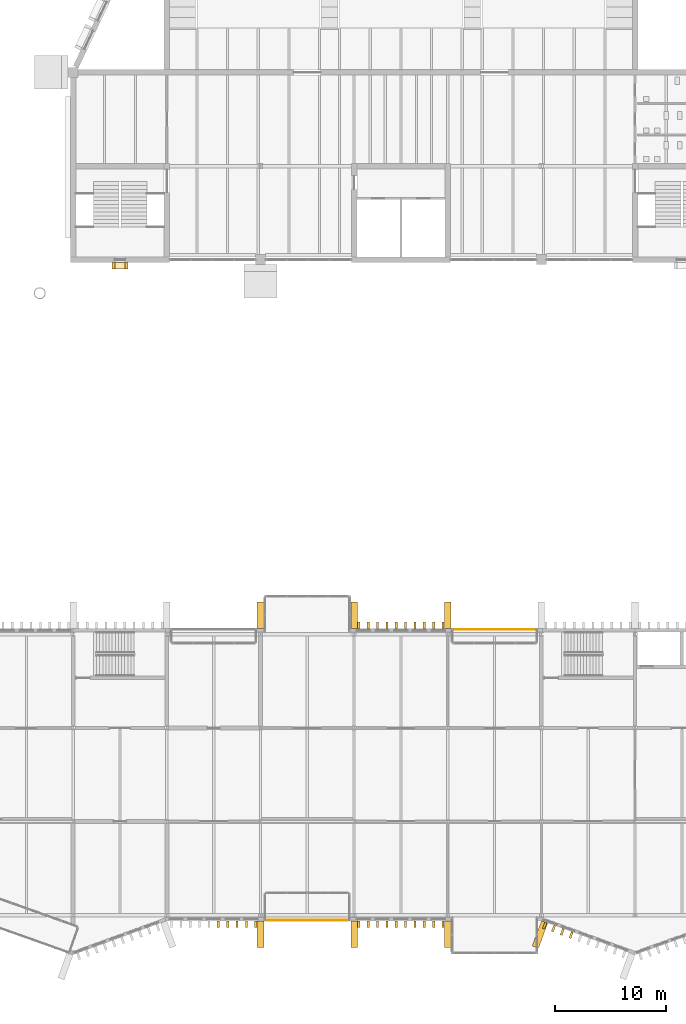
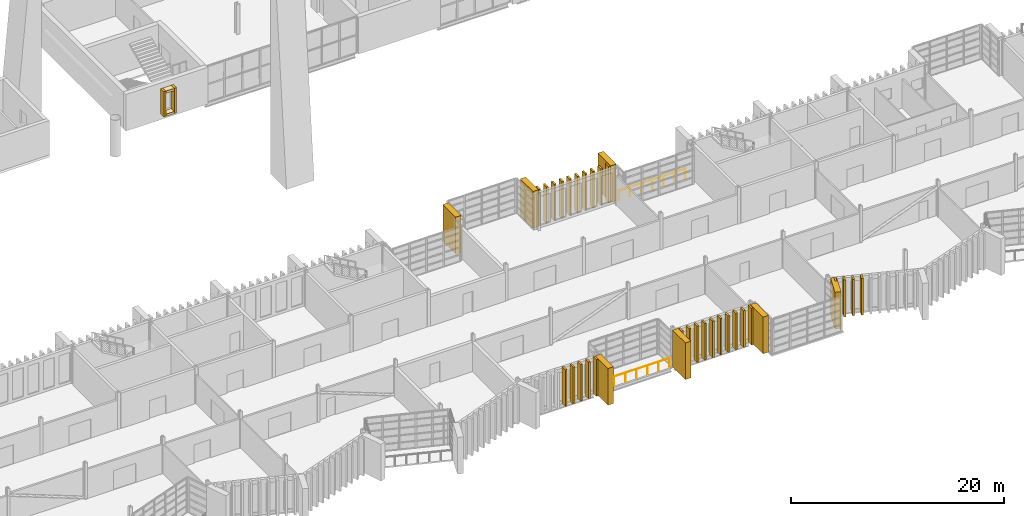
# One storey, part 91 of 100: 40 coverings, 2 railings.
"""IFC4 building model written with IfcOpenShell, lengths in metres."""

from ifc_helpers import new_model, si_unit, direction, frame, origin, origin_2d, place, context, subcontext, project, spatial, rectangle, circle, extrude, material, type_object, element, save


model = new_model("IFC4")

# Units and contexts
model_context = context("Model", 3, precision=1e-05, world=origin(), true_north=direction((0.0, 1.0)))
body_context = subcontext(model_context, "Body", "Model", "MODEL_VIEW")
ifc_project = project(units=[si_unit("LENGTHUNIT", "METRE"), si_unit("AREAUNIT", "SQUARE_METRE"), si_unit("VOLUMEUNIT", "CUBIC_METRE"), si_unit("PLANEANGLEUNIT", "RADIAN"), si_unit("MASSUNIT", "GRAM", prefix="KILO")], contexts=[model_context])

# Site, building, storey
site_placement = place(None, origin())
site = spatial("IfcSite", under=ifc_project, at=site_placement, CompositionType="ELEMENT")
building_placement = place(site_placement, origin())
building = spatial("IfcBuilding", under=site, at=building_placement, Name="Cresset Court Congress Hotel", CompositionType="ELEMENT")
storey_placement = place(building_placement, frame((0.0, 0.0, 10.199951171875)))
storey = spatial("IfcBuildingStorey", under=building, at=storey_placement, Name="L02", CompositionType="ELEMENT", Elevation=10.199951171875)

# Railings
ifc_material_1 = material(Name="Steel and laminated glass", Category="steel")
railing_type = type_object("IfcRailingType", Name="Guard 1100 steel and glass external", PredefinedType="GUARDRAIL", material=ifc_material_1)
for number, where, name in (
    (1, (76.199951171875, -0.449951171875, 0.0), "Guard to recess S0210"),
    (2, (93.0, 25.64990234375, 0.0), "Guard to recess N0230"),
):
    element("IfcRailing", number, at=place(storey_placement, frame(where)), inside=storey, type_object=railing_type, Name=name, PredefinedType="GUARDRAIL", context=body_context, shape_type="SweptSolid", body=[
        extrude(circle(Radius=0.02392578125, at=origin_2d()), frame((0.0, 0.0, 1.076171875), z_axis=(1.0, 0.0, 0.0), x_axis=(0.0, 1.0, 0.0)), (0.0, 0.0, 1.0), 7.199951171875),
        extrude(circle(Radius=0.02099609375, at=origin_2d()), origin(), (0.0, 0.0, 1.0), 1.052001953125),
        extrude(circle(Radius=0.02099609375, at=origin_2d()), frame((1.199951171875, 0.0, 0.0)), (0.0, 0.0, 1.0), 1.052001953125),
        extrude(circle(Radius=0.02099609375, at=origin_2d()), frame((2.39990234375, 0.0, 0.0)), (0.0, 0.0, 1.0), 1.052001953125),
        extrude(circle(Radius=0.02099609375, at=origin_2d()), frame((3.60009765625, 0.0, 0.0)), (0.0, 0.0, 1.0), 1.052001953125),
        extrude(circle(Radius=0.02099609375, at=origin_2d()), frame((4.800048828125, 0.0, 0.0)), (0.0, 0.0, 1.0), 1.052001953125),
        extrude(circle(Radius=0.02099609375, at=origin_2d()), frame((6.0, 0.0, 0.0)), (0.0, 0.0, 1.0), 1.052001953125),
        extrude(circle(Radius=0.02099609375, at=origin_2d()), frame((7.199951171875, 0.0, 0.0)), (0.0, 0.0, 1.0), 1.052001953125),
    ])

# Coverings
ifc_material_2 = material(Name="Precast concrete C50", Category="concrete")
covering_type_1 = type_object("IfcCoveringType", Name="Precast reveal frame member 250x600", PredefinedType="CLADDING", material=ifc_material_2)
for number, where, z_axis, x_axis, name in (
    (3, (63.574951171875, 58.25, 0.650146484375), (0.0, 0.0, 1.0), (1.0, 0.0, 0.0), "Reveal frame NC-02-C1a"),
    (4, (62.425048828125, 58.25, 0.650146484375), (0.0, 0.0, 1.0), (1.0, 0.0, 0.0), "Reveal frame NC-02-C1b"),
):
    element("IfcCovering", number, at=place(storey_placement, frame(where, z_axis=z_axis, x_axis=x_axis)), inside=storey, type_object=covering_type_1, Name=name, PredefinedType="CLADDING", context=body_context, shape_type="SweptSolid", body=[
        extrude(rectangle(XDim=0.25, YDim=0.60009765625, at=origin_2d()), origin(), (0.0, 0.0, 1.0), 2.89990234375),
    ])
for number, where, z_axis, x_axis, name in (
    (5, (63.0, 58.25, 3.300048828125), (0.0, 0.0, 1.0), (1.0, 0.0, 0.0), "Reveal frame NC-02-C1c"),
    (6, (63.0, 58.25, 0.650146484375), (0.0, 0.0, 1.0), (1.0, 0.0, 0.0), "Reveal frame NC-02-C1d"),
):
    element("IfcCovering", number, at=place(storey_placement, frame(where, z_axis=z_axis, x_axis=x_axis)), inside=storey, type_object=covering_type_1, Name=name, PredefinedType="CLADDING", context=body_context, shape_type="SweptSolid", body=[
        extrude(rectangle(XDim=0.89990234375, YDim=0.60009765625, at=origin_2d()), origin(), (0.0, 0.0, 1.0), 0.25),
    ])
ifc_material_3 = material(Name="Precast concrete C50", Category="concrete")
covering_type_2 = type_object("IfcCoveringType", Name="Precast stone fin 200x600 variant 1", PredefinedType="CLADDING", material=ifc_material_3)
for number, where, z_axis, x_axis, name in (
    (7, (101.09228515625, -0.92529296875, 0.0), (0.0, 0.0, 1.0), (0.939956783309, -0.341293488819, 0.0), "Fin S02-110"),
    (8, (101.8818359375, -1.2119140625, 0.0), (0.0, 0.0, 1.0), (0.939956783309, -0.341293488819, 0.0), "Fin S02-111"),
    (9, (102.671630859375, -1.498779296875, 0.0), (0.0, 0.0, 1.0), (0.939956783309, -0.341293488819, 0.0), "Fin S02-112"),
    (10, (103.461181640625, -1.785400390625, 0.0), (0.0, 0.0, 1.0), (0.939956783309, -0.341293488819, 0.0), "Fin S02-113"),
    (11, (71.820068359375, -0.800048828125, 0.0), (0.0, 0.0, 1.0), (1.0, 0.0, 0.0), "Fin S02-075"),
    (12, (72.659912109375, -0.800048828125, 0.0), (0.0, 0.0, 1.0), (1.0, 0.0, 0.0), "Fin S02-076"),
    (13, (73.5, -0.800048828125, 0.0), (0.0, 0.0, 1.0), (1.0, 0.0, 0.0), "Fin S02-077"),
    (14, (74.340087890625, -0.800048828125, 0.0), (0.0, 0.0, 1.0), (1.0, 0.0, 0.0), "Fin S02-078"),
    (15, (75.179931640625, -0.800048828125, 0.0), (0.0, 0.0, 1.0), (1.0, 0.0, 0.0), "Fin S02-079"),
    (16, (84.419921875, -0.800048828125, 0.0), (0.0, 0.0, 1.0), (1.0, 0.0, 0.0), "Fin S02-090"),
    (17, (85.260009765625, -0.800048828125, 0.0), (0.0, 0.0, 1.0), (1.0, 0.0, 0.0), "Fin S02-091"),
    (18, (86.10009765625, -0.800048828125, 0.0), (0.0, 0.0, 1.0), (1.0, 0.0, 0.0), "Fin S02-092"),
    (19, (86.93994140625, -0.800048828125, 0.0), (0.0, 0.0, 1.0), (1.0, 0.0, 0.0), "Fin S02-093"),
    (20, (87.780029296875, -0.800048828125, 0.0), (0.0, 0.0, 1.0), (1.0, 0.0, 0.0), "Fin S02-094"),
    (21, (88.6201171875, -0.800048828125, 0.0), (0.0, 0.0, 1.0), (1.0, 0.0, 0.0), "Fin S02-095"),
    (22, (89.4599609375, -0.800048828125, 0.0), (0.0, 0.0, 1.0), (1.0, 0.0, 0.0), "Fin S02-096"),
    (23, (90.300048828125, -0.800048828125, 0.0), (0.0, 0.0, 1.0), (1.0, 0.0, 0.0), "Fin S02-097"),
    (24, (91.139892578125, -0.800048828125, 0.0), (0.0, 0.0, 1.0), (1.0, 0.0, 0.0), "Fin S02-098"),
    (25, (91.97998046875, -0.800048828125, 0.0), (0.0, 0.0, 1.0), (1.0, 0.0, 0.0), "Fin S02-099"),
    (26, (84.419921875, 26.0, 0.0), (0.0, 0.0, 1.0), (1.0, 0.0, 0.0), "Fin N02-090"),
    (27, (85.260009765625, 26.0, 0.0), (0.0, 0.0, 1.0), (1.0, 0.0, 0.0), "Fin N02-091"),
    (28, (86.10009765625, 26.0, 0.0), (0.0, 0.0, 1.0), (1.0, 0.0, 0.0), "Fin N02-092"),
    (29, (86.93994140625, 26.0, 0.0), (0.0, 0.0, 1.0), (1.0, 0.0, 0.0), "Fin N02-093"),
    (30, (87.780029296875, 26.0, 0.0), (0.0, 0.0, 1.0), (1.0, 0.0, 0.0), "Fin N02-094"),
    (31, (88.6201171875, 26.0, 0.0), (0.0, 0.0, 1.0), (1.0, 0.0, 0.0), "Fin N02-095"),
    (32, (89.4599609375, 26.0, 0.0), (0.0, 0.0, 1.0), (1.0, 0.0, 0.0), "Fin N02-096"),
    (33, (90.300048828125, 26.0, 0.0), (0.0, 0.0, 1.0), (1.0, 0.0, 0.0), "Fin N02-097"),
    (34, (91.139892578125, 26.0, 0.0), (0.0, 0.0, 1.0), (1.0, 0.0, 0.0), "Fin N02-098"),
    (35, (91.97998046875, 26.0, 0.0), (0.0, 0.0, 1.0), (1.0, 0.0, 0.0), "Fin N02-099"),
):
    element("IfcCovering", number, at=place(storey_placement, frame(where, z_axis=z_axis, x_axis=x_axis)), inside=storey, type_object=covering_type_2, Name=name, PredefinedType="CLADDING", context=body_context, shape_type="SweptSolid", body=[
        extrude(rectangle(XDim=0.199951171875, YDim=0.60009765625, at=origin_2d()), origin(), (0.0, 0.0, 1.0), 4.199951171875),
    ])
ifc_material_4 = material(Name="Precast concrete C50", Category="concrete")
covering_type_3 = type_object("IfcCoveringType", Name="Precast stone pier 600x2400", PredefinedType="CLADDING", material=ifc_material_4)
for number, where, z_axis, x_axis, name in (
    (36, (100.67236328125, -1.730224609375, 0.0), (0.0, 0.0, 1.0), (0.939956783309, -0.341293488819, 0.0), "Pier S02-11"),
    (37, (75.60009765625, -1.699951171875, 0.0), (0.0, 0.0, 1.0), (1.0, 0.0, 0.0), "Pier S02-08"),
    (38, (84.0, -1.699951171875, 0.0), (0.0, 0.0, 1.0), (1.0, 0.0, 0.0), "Pier S02-09"),
    (39, (92.39990234375, -1.699951171875, 0.0), (0.0, 0.0, 1.0), (1.0, 0.0, 0.0), "Pier S02-10"),
    (40, (75.60009765625, 26.89990234375, 0.0), (0.0, 0.0, 1.0), (1.0, 0.0, 0.0), "Pier N02-08"),
    (41, (84.0, 26.89990234375, 0.0), (0.0, 0.0, 1.0), (1.0, 0.0, 0.0), "Pier N02-09"),
    (42, (92.39990234375, 26.89990234375, 0.0), (0.0, 0.0, 1.0), (1.0, 0.0, 0.0), "Pier N02-10"),
):
    element("IfcCovering", number, at=place(storey_placement, frame(where, z_axis=z_axis, x_axis=x_axis)), inside=storey, type_object=covering_type_3, Name=name, PredefinedType="CLADDING", context=body_context, shape_type="SweptSolid", body=[
        extrude(rectangle(XDim=0.60009765625, YDim=2.39990234375, at=origin_2d()), origin(), (0.0, 0.0, 1.0), 4.199951171875),
    ])

save(model, "model.ifc")
